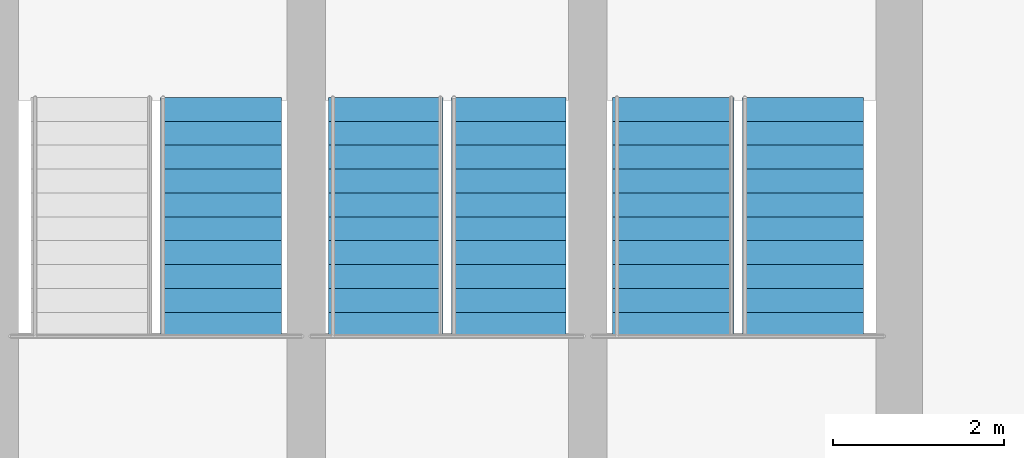
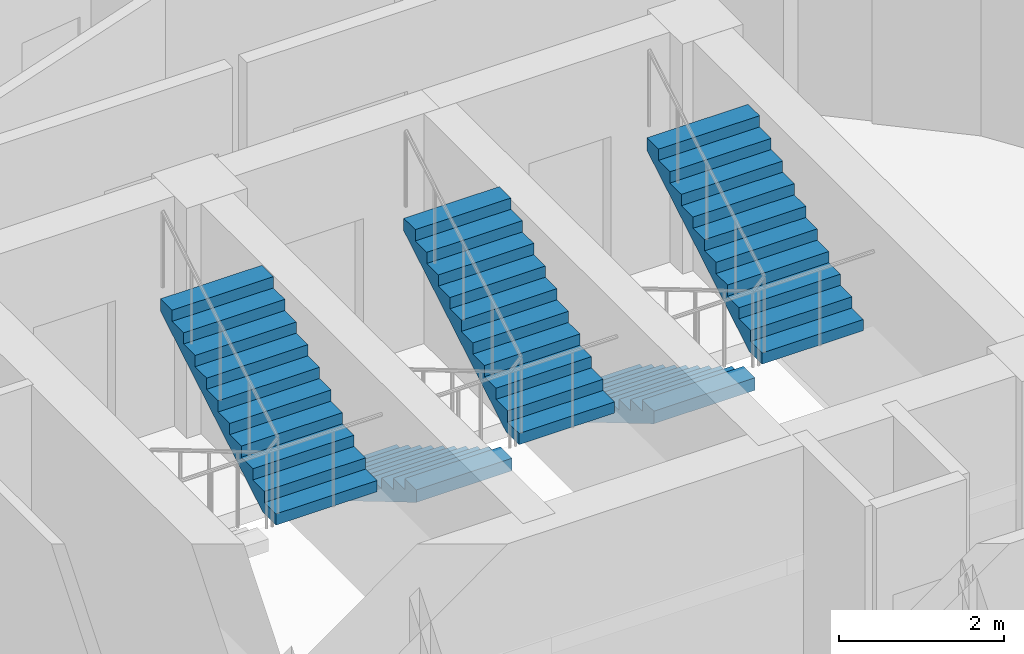
# One storey, part 26 of 27: 5 stair flights, 3 elements without a shape of their own.
"""IFC4 building model written with IfcOpenShell, lengths in metres."""

import ifcopenshell
import ifcopenshell.guid

model = None  # the IFC model being written
_history = None  # IfcOwnerHistory: only IFC2X3 demands one
_inside = {}  # id of a spatial element -> (the spatial element, [elements in it])
_under = {}  # id of a project, library or spatial element -> (it, [spatial elements below it])
_declared = {}  # id of a project -> (the project, [libraries it declares])
_typed = {}  # id of a type object -> (the type object, [elements of that type])
_made_of = {}  # id of a material, layer set ... -> (it, [elements and type objects made of it])


def new_model(schema):
    """Start an empty IFC model of exactly this schema.

    Asked for "IFC4X3", IfcOpenShell would pick the latest addendum, in which some entities
    have other attributes; the version numbers below select the first issue.
    IFC2X3 requires an IfcOwnerHistory on every rooted entity: one is made here for all.
    """
    global model, _history
    if schema == "IFC4X3":
        model = ifcopenshell.file(schema_version=(4, 3, 0, 0))
    else:
        model = ifcopenshell.file(schema=schema)
    _inside.clear()
    _under.clear()
    _declared.clear()
    _typed.clear()
    _made_of.clear()
    _history = None
    if model.schema == "IFC2X3":
        org = make("IfcOrganization", Name="unknown")
        user = make(
            "IfcPersonAndOrganization",
            ThePerson=make("IfcPerson", FamilyName="unknown"),
            TheOrganization=org,
        )
        app = make(
            "IfcApplication",
            ApplicationDeveloper=org,
            Version="unknown",
            ApplicationFullName="unknown",
            ApplicationIdentifier="unknown",
        )
        _history = make(
            "IfcOwnerHistory",
            OwningUser=user,
            OwningApplication=app,
            ChangeAction="ADDED",
            CreationDate=0,
        )
    return model


def make(cls, **values):
    """One entity of the class cls with the attributes given. An attribute that is None is left unset."""
    return model.create_entity(
        cls, **{name: value for name, value in values.items() if value is not None}
    )


def rooted(cls, **values):
    """An entity with a GlobalId (a new one), such as an element, a storey or a relation."""
    return make(cls, GlobalId=ifcopenshell.guid.new(), OwnerHistory=_history, **values)


def si_unit(unit_type, name, prefix=None):
    """IfcSIUnit, for example si_unit("LENGTHUNIT", "METRE", prefix="MILLI")."""
    return make("IfcSIUnit", UnitType=unit_type, Prefix=prefix, Name=name)


def assignment(units):
    """IfcUnitAssignment: the units of a project."""
    return None if units is None else make("IfcUnitAssignment", Units=units)


def point(xyz):
    """IfcCartesianPoint."""
    return None if xyz is None else make("IfcCartesianPoint", Coordinates=xyz)


def direction(xyz):
    """IfcDirection."""
    return None if xyz is None else make("IfcDirection", DirectionRatios=xyz)


def frame(location, z_axis=None, x_axis=None):
    """IfcAxis2Placement3D, a coordinate frame: its origin and axes. An axis left out is left unset."""
    return make(
        "IfcAxis2Placement3D",
        Location=point(location),
        Axis=direction(z_axis),
        RefDirection=direction(x_axis),
    )


def origin():
    """The frame at (0, 0, 0) with its axes left unset."""
    return frame((0.0, 0.0, 0.0))


def place(relative_to, where):
    """IfcLocalPlacement: puts the frame where relative to a parent placement (None: the world)."""
    return make(
        "IfcLocalPlacement", PlacementRelTo=relative_to, RelativePlacement=where
    )


def context(
    kind, dimensions, precision=None, world=None, true_north=None, identifier=None
):
    """IfcGeometricRepresentationContext, for example the 3D "Model" context."""
    return make(
        "IfcGeometricRepresentationContext",
        ContextIdentifier=identifier,
        ContextType=kind,
        CoordinateSpaceDimension=dimensions,
        Precision=precision,
        WorldCoordinateSystem=world,
        TrueNorth=true_north,
    )


def subcontext(parent, identifier, kind, view, scale=None):
    """IfcGeometricRepresentationSubContext, for example "Body" below "Model"."""
    return make(
        "IfcGeometricRepresentationSubContext",
        ContextIdentifier=identifier,
        ContextType=kind,
        ParentContext=parent,
        TargetScale=scale,
        TargetView=view,
    )


def project(units=None, contexts=None):
    """IfcProject with its units and contexts."""
    return rooted(
        "IfcProject",
        Name="project",
        RepresentationContexts=contexts,
        UnitsInContext=assignment(units),
    )


def spatial(cls, under=None, at=None, **own):
    """A site, building, storey or space (cls), placed at a placement, below another one or the project."""
    s = rooted(cls, ObjectPlacement=at, **own)
    if under is not None:
        _under.setdefault(under.id(), (under, []))[1].append(s)
    return s


def polyline(points):
    """IfcPolyline through the points."""
    return make("IfcPolyline", Points=[point(p) for p in points])


def outline(outer, holes=None, kind="AREA"):
    """IfcArbitraryClosedProfileDef: a profile drawn as a closed curve; with holes, ...WithVoids."""
    if holes is None:
        return make("IfcArbitraryClosedProfileDef", ProfileType=kind, OuterCurve=outer)
    return make(
        "IfcArbitraryProfileDefWithVoids",
        ProfileType=kind,
        OuterCurve=outer,
        InnerCurves=holes,
    )


def extrude(swept, where, along, depth):
    """IfcExtrudedAreaSolid: the profile swept, set in the frame where, extruded along a direction by depth."""
    return make(
        "IfcExtrudedAreaSolid",
        SweptArea=swept,
        Position=where,
        ExtrudedDirection=direction(along),
        Depth=depth,
    )


def shape(context_of_items, identifier, shape_type, items):
    """IfcShapeRepresentation: the items that make up one representation, for example the "Body"."""
    return make(
        "IfcShapeRepresentation",
        ContextOfItems=context_of_items,
        RepresentationIdentifier=identifier,
        RepresentationType=shape_type,
        Items=items,
    )


def material(Name=None, Category=None):
    """IfcMaterial."""
    return make("IfcMaterial", Name=Name, Category=Category)


def made_of(thing, what):
    """Note that an element or type object is made of a material, layer set ...; save() writes the relation."""
    if what is not None:
        _made_of.setdefault(what.id(), (what, []))[1].append(thing)
    return thing


def type_object(cls, material=None, **own):
    """A type object (cls), such as IfcWallType, which elements share."""
    return made_of(rooted(cls, **own), material)


def element(
    cls,
    number,
    at=None,
    inside=None,
    cuts=None,
    type_object=None,
    material=None,
    context=None,
    identifier="Body",
    shape_type=None,
    held_by="IfcProductDefinitionShape",
    body=None,
    shapes=None,
    **own,
):
    """One element of the class cls, such as IfcWall. Its Tag is "e" and its number.

    at: its placement. inside: the storey or other place that contains it. cuts: it is an
    opening in that element (IfcRelVoidsElement). A single representation is given by context,
    identifier, shape_type and body (its items); several are given by shapes. held_by: the class
    of the entity that holds the representations. save() writes the other relations.
    """
    e = rooted(cls, Tag="e%d" % number, ObjectPlacement=at, **own)
    if body is not None:
        shapes = [shape(context, identifier, shape_type, body)]
    if shapes is not None:
        e.Representation = make(held_by, Representations=shapes)
    if inside is not None:
        _inside.setdefault(inside.id(), (inside, []))[1].append(e)
    if cuts is not None:
        rooted(
            "IfcRelVoidsElement", RelatingBuildingElement=cuts, RelatedOpeningElement=e
        )
    if type_object is not None:
        _typed.setdefault(type_object.id(), (type_object, []))[1].append(e)
    return made_of(e, material)


def aggregate(whole, parts):
    """IfcRelAggregates: a whole, such as a stair, and the parts it consists of."""
    return rooted("IfcRelAggregates", RelatingObject=whole, RelatedObjects=parts)


def save(model, path):
    """Write the relations noted so far, then the file.

    IfcRelAggregates (storeys below a building ...), IfcRelContainedInSpatialStructure (elements
    in a storey), IfcRelDefinesByType, IfcRelAssociatesMaterial and IfcRelDeclares: one each for
    every whole, place, type object, material and project.
    """
    for whole, parts in _under.values():
        aggregate(whole, parts)
    for where, things in _inside.values():
        rooted(
            "IfcRelContainedInSpatialStructure",
            RelatedElements=things,
            RelatingStructure=where,
        )
    for kind, things in _typed.values():
        rooted("IfcRelDefinesByType", RelatedObjects=things, RelatingType=kind)
    for what, things in _made_of.values():
        rooted("IfcRelAssociatesMaterial", RelatedObjects=things, RelatingMaterial=what)
    for by, libraries in _declared.values():
        rooted("IfcRelDeclares", RelatingContext=by, RelatedDefinitions=libraries)
    model.write(path)


model = new_model("IFC4")

# Units and contexts
model_context = context("Model", 3, precision=1e-05, world=origin(), true_north=direction((0.0, 1.0)))
body_context = subcontext(model_context, "Body", "Model", "MODEL_VIEW")
ifc_project = project(units=[si_unit("LENGTHUNIT", "METRE"), si_unit("AREAUNIT", "SQUARE_METRE"), si_unit("VOLUMEUNIT", "CUBIC_METRE"), si_unit("PLANEANGLEUNIT", "RADIAN"), si_unit("MASSUNIT", "GRAM", prefix="KILO")], contexts=[model_context])

# Site, building, storey
site_placement = place(None, origin())
site = spatial("IfcSite", under=ifc_project, at=site_placement, CompositionType="ELEMENT")
building_placement = place(site_placement, origin())
building = spatial("IfcBuilding", under=site, at=building_placement, Name="Nuhasar Tower", CompositionType="ELEMENT")
storey_placement = place(building_placement, frame((0.0, 0.0, 244.64990234375)))
storey = spatial("IfcBuildingStorey", under=building, at=storey_placement, Name="L60", CompositionType="ELEMENT", Elevation=244.64990234375)

# Stair, stair flight
ifc_material = material(Name="Concrete C45/55", Category="concrete")
stair_type_1 = type_object("IfcStairType", Name="STR-ST-01-2F-22R-1659", PredefinedType="HALF_TURN_STAIR", material=ifc_material)
stair_1_placement = place(storey_placement, origin())
stair_1 = element("IfcStair", 1, at=stair_1_placement, inside=storey, type_object=stair_type_1, Name="L60 Exit Stair ST-01", PredefinedType="HALF_TURN_STAIR")
stair_flight_type_1 = type_object("IfcStairFlightType", Name="SFL-ST-01-11R-1659", PredefinedType="STRAIGHT", material=ifc_material)
stair_flight_1_placement = place(storey_placement, frame((36.35009765625, 32.485107421875, 1.8251953125), z_axis=(0.0, 0.0, 1.0), x_axis=(0.0, 1.0, 0.0)))
stair_flight_1 = element("IfcStairFlight", 2, at=stair_flight_1_placement, type_object=stair_flight_type_1, Name="ST-01 flight 2", NumberOfRisers=11, NumberOfTreads=10, PredefinedType="STRAIGHT", RiserHeight=0.165909, TreadLength=0.28, context=body_context, shape_type="SweptSolid", body=[
    extrude(outline(polyline([(0.0, 0.0), (0.0, 0.166015625), (0.280029296875, 0.166015625), (0.280029296875, 0.331787109375), (0.56005859375, 0.331787109375), (0.56005859375, 0.497802734375), (0.840087890625, 0.497802734375), (0.840087890625, 0.66357421875), (1.1201171875, 0.66357421875), (1.1201171875, 0.82958984375), (1.39990234375, 0.82958984375), (1.39990234375, 0.995361328125), (1.679931640625, 0.995361328125), (1.679931640625, 1.161376953125), (1.9599609375, 1.161376953125), (1.9599609375, 1.327392578125), (2.239990234375, 1.327392578125), (2.239990234375, 1.4931640625), (2.52001953125, 1.4931640625), (2.52001953125, 1.6591796875), (2.800048828125, 1.6591796875), (2.800048828125, 1.824951171875), (2.800048828125, 1.47314453125), (0.313720703125, 0.0), (0.0, 0.0)])), frame((0.0, 0.7099609375, 0.0), z_axis=(0.0, -1.0, 0.0), x_axis=(1.0, 0.0, 0.0)), (0.0, 0.0, 1.0), 1.419921875),
])
aggregate(stair_1, [stair_flight_1])

# Stair, stair flights
stair_type_2 = type_object("IfcStairType", Name="STR-ST-02-2F-22R-1659", PredefinedType="HALF_TURN_STAIR", material=ifc_material)
stair_2_placement = place(storey_placement, origin())
stair_2 = element("IfcStair", 3, at=stair_2_placement, inside=storey, type_object=stair_type_2, Name="L60 Exit Stair ST-02", PredefinedType="HALF_TURN_STAIR")
stair_flight_type_2 = type_object("IfcStairFlightType", Name="SFL-ST-02-11R-1659", PredefinedType="STRAIGHT", material=ifc_material)
stair_flight_2_placement = place(storey_placement, frame((41.64990234375, 35.284912109375, 0.0), z_axis=(0.0, 0.0, 1.0), x_axis=(0.0, -1.0, 0.0)))
stair_flight_2 = element("IfcStairFlight", 4, at=stair_flight_2_placement, type_object=stair_flight_type_2, Name="ST-02 flight 1", NumberOfRisers=11, NumberOfTreads=10, PredefinedType="STRAIGHT", RiserHeight=0.165909, TreadLength=0.28, context=body_context, shape_type="SweptSolid", body=[
    extrude(outline(polyline([(0.0, 0.0), (0.0, 0.166015625), (0.280029296875, 0.166015625), (0.280029296875, 0.331787109375), (0.56005859375, 0.331787109375), (0.56005859375, 0.497802734375), (0.840087890625, 0.497802734375), (0.840087890625, 0.66357421875), (1.1201171875, 0.66357421875), (1.1201171875, 0.82958984375), (1.39990234375, 0.82958984375), (1.39990234375, 0.995361328125), (1.679931640625, 0.995361328125), (1.679931640625, 1.161376953125), (1.9599609375, 1.161376953125), (1.9599609375, 1.327392578125), (2.239990234375, 1.327392578125), (2.239990234375, 1.4931640625), (2.52001953125, 1.4931640625), (2.52001953125, 1.6591796875), (2.800048828125, 1.6591796875), (2.800048828125, 1.824951171875), (2.800048828125, 1.47314453125), (0.313720703125, 0.0), (0.0, 0.0)])), frame((0.0, 0.7099609375, 0.0), z_axis=(0.0, -1.0, 0.0), x_axis=(1.0, 0.0, 0.0)), (0.0, 0.0, 1.0), 1.419921875),
])
stair_flight_3_placement = place(storey_placement, frame((43.169921875, 32.485107421875, 1.8251953125), z_axis=(0.0, 0.0, 1.0), x_axis=(0.0, 1.0, 0.0)))
stair_flight_3 = element("IfcStairFlight", 5, at=stair_flight_3_placement, type_object=stair_flight_type_2, Name="ST-02 flight 2", NumberOfRisers=11, NumberOfTreads=10, PredefinedType="STRAIGHT", RiserHeight=0.165909, TreadLength=0.28, context=body_context, shape_type="SweptSolid", body=[
    extrude(outline(polyline([(0.0, 0.0), (0.0, 0.166015625), (0.280029296875, 0.166015625), (0.280029296875, 0.331787109375), (0.56005859375, 0.331787109375), (0.56005859375, 0.497802734375), (0.840087890625, 0.497802734375), (0.840087890625, 0.66357421875), (1.1201171875, 0.66357421875), (1.1201171875, 0.82958984375), (1.39990234375, 0.82958984375), (1.39990234375, 0.995361328125), (1.679931640625, 0.995361328125), (1.679931640625, 1.161376953125), (1.9599609375, 1.161376953125), (1.9599609375, 1.327392578125), (2.239990234375, 1.327392578125), (2.239990234375, 1.4931640625), (2.52001953125, 1.4931640625), (2.52001953125, 1.6591796875), (2.800048828125, 1.6591796875), (2.800048828125, 1.824951171875), (2.800048828125, 1.47314453125), (0.313720703125, 0.0), (0.0, 0.0)])), frame((0.0, 0.7099609375, 0.0), z_axis=(0.0, -1.0, 0.0), x_axis=(1.0, 0.0, 0.0)), (0.0, 0.0, 1.0), 1.419921875),
])
aggregate(stair_2, [stair_flight_2, stair_flight_3])

stair_type_3 = type_object("IfcStairType", Name="STR-ST-03-2F-22R-1659", PredefinedType="HALF_TURN_STAIR", material=ifc_material)
stair_3_placement = place(storey_placement, origin())
stair_3 = element("IfcStair", 6, at=stair_3_placement, inside=storey, type_object=stair_type_3, Name="L60 Exit Stair ST-03", PredefinedType="HALF_TURN_STAIR")
stair_flight_type_3 = type_object("IfcStairFlightType", Name="SFL-ST-03-11R-1659", PredefinedType="STRAIGHT", material=ifc_material)
stair_flight_4_placement = place(storey_placement, frame((38.280029296875, 35.284912109375, 0.0), z_axis=(0.0, 0.0, 1.0), x_axis=(0.0, -1.0, 0.0)))
stair_flight_4 = element("IfcStairFlight", 7, at=stair_flight_4_placement, type_object=stair_flight_type_3, Name="ST-03 flight 1", NumberOfRisers=11, NumberOfTreads=10, PredefinedType="STRAIGHT", RiserHeight=0.165909, TreadLength=0.28, context=body_context, shape_type="SweptSolid", body=[
    extrude(outline(polyline([(0.0, 0.0), (0.0, 0.166015625), (0.280029296875, 0.166015625), (0.280029296875, 0.331787109375), (0.56005859375, 0.331787109375), (0.56005859375, 0.497802734375), (0.840087890625, 0.497802734375), (0.840087890625, 0.66357421875), (1.1201171875, 0.66357421875), (1.1201171875, 0.82958984375), (1.39990234375, 0.82958984375), (1.39990234375, 0.995361328125), (1.679931640625, 0.995361328125), (1.679931640625, 1.161376953125), (1.9599609375, 1.161376953125), (1.9599609375, 1.327392578125), (2.239990234375, 1.327392578125), (2.239990234375, 1.4931640625), (2.52001953125, 1.4931640625), (2.52001953125, 1.6591796875), (2.800048828125, 1.6591796875), (2.800048828125, 1.824951171875), (2.800048828125, 1.47314453125), (0.313720703125, 0.0), (0.0, 0.0)])), frame((0.0, 0.669921875, 0.0), z_axis=(0.0, -1.0, 0.0), x_axis=(1.0, 0.0, 0.0)), (0.0, 0.0, 1.0), 1.340087890625),
])
stair_flight_5_placement = place(storey_placement, frame((39.719970703125, 32.485107421875, 1.8251953125), z_axis=(0.0, 0.0, 1.0), x_axis=(0.0, 1.0, 0.0)))
stair_flight_5 = element("IfcStairFlight", 8, at=stair_flight_5_placement, type_object=stair_flight_type_3, Name="ST-03 flight 2", NumberOfRisers=11, NumberOfTreads=10, PredefinedType="STRAIGHT", RiserHeight=0.165909, TreadLength=0.28, context=body_context, shape_type="SweptSolid", body=[
    extrude(outline(polyline([(0.0, 0.0), (0.0, 0.166015625), (0.280029296875, 0.166015625), (0.280029296875, 0.331787109375), (0.56005859375, 0.331787109375), (0.56005859375, 0.497802734375), (0.840087890625, 0.497802734375), (0.840087890625, 0.66357421875), (1.1201171875, 0.66357421875), (1.1201171875, 0.82958984375), (1.39990234375, 0.82958984375), (1.39990234375, 0.995361328125), (1.679931640625, 0.995361328125), (1.679931640625, 1.161376953125), (1.9599609375, 1.161376953125), (1.9599609375, 1.327392578125), (2.239990234375, 1.327392578125), (2.239990234375, 1.4931640625), (2.52001953125, 1.4931640625), (2.52001953125, 1.6591796875), (2.800048828125, 1.6591796875), (2.800048828125, 1.824951171875), (2.800048828125, 1.47314453125), (0.313720703125, 0.0), (0.0, 0.0)])), frame((0.0, 0.669921875, 0.0), z_axis=(0.0, -1.0, 0.0), x_axis=(1.0, 0.0, 0.0)), (0.0, 0.0, 1.0), 1.340087890625),
])
aggregate(stair_3, [stair_flight_4, stair_flight_5])

save(model, "model.ifc")
